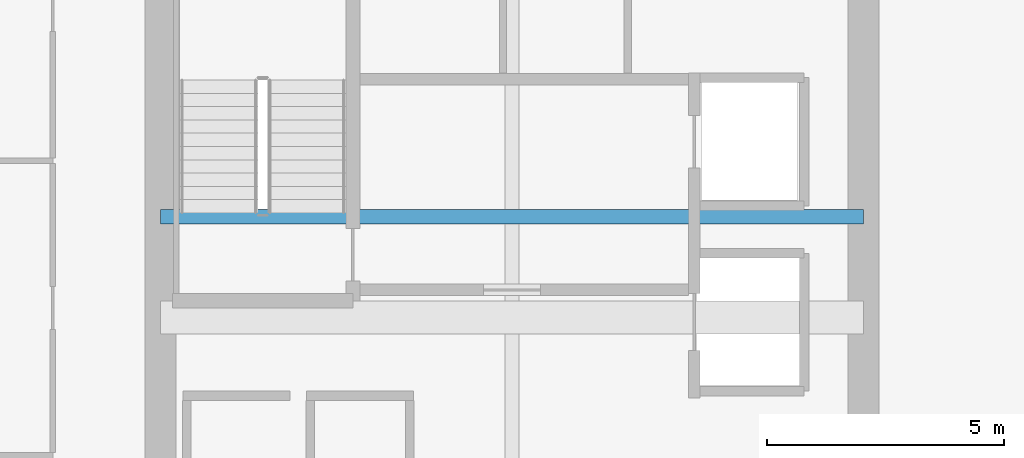
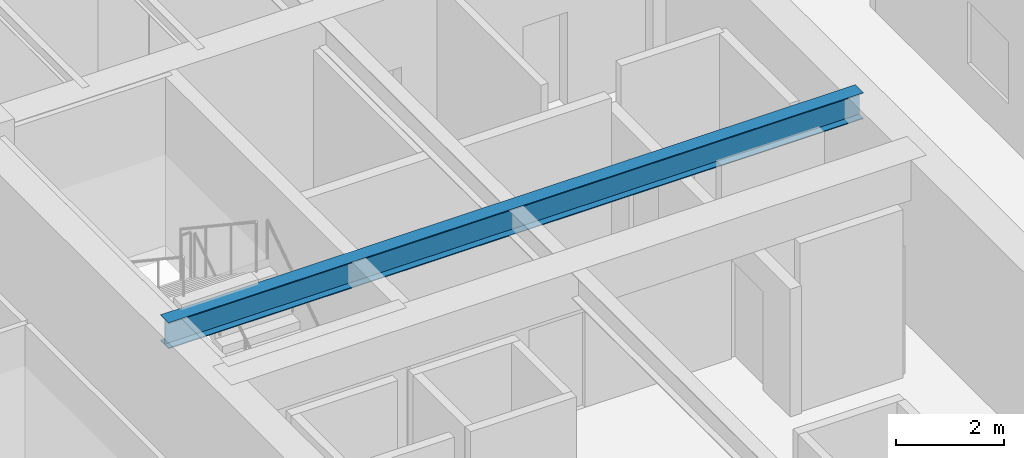
# One storey, part 9 of 34: 1 beam.
"""IFC4 building model written with IfcOpenShell, lengths in metres."""

from ifc_helpers import new_model, si_unit, direction, frame, origin, origin_2d, place, context, subcontext, project, spatial, i_section, extrude, source, transform, mapped, material, material_profile, profile_set, type_object, type_shapes, element, save


model = new_model("IFC4")

# Units and contexts
model_context = context("Model", 3, precision=1e-05, world=origin(), true_north=direction((0.0, 1.0)))
body_context = subcontext(model_context, "Body", "Model", "MODEL_VIEW")
ifc_project = project(units=[si_unit("LENGTHUNIT", "METRE"), si_unit("AREAUNIT", "SQUARE_METRE"), si_unit("VOLUMEUNIT", "CUBIC_METRE"), si_unit("PLANEANGLEUNIT", "RADIAN"), si_unit("MASSUNIT", "GRAM", prefix="KILO")], contexts=[model_context])

# Site, building, storey
site_placement = place(None, origin())
site = spatial("IfcSite", under=ifc_project, at=site_placement, CompositionType="ELEMENT")
building_placement = place(site_placement, origin())
building = spatial("IfcBuilding", under=site, at=building_placement, Name="Haelvirn Gate Laboratories", CompositionType="ELEMENT")
storey_placement = place(building_placement, frame((0.0, 0.0, 158.39990234375)))
storey = spatial("IfcBuildingStorey", under=building, at=storey_placement, Name="L38", CompositionType="ELEMENT", Elevation=158.39990234375)

# Beam
ifc_material = material(Name="Steel SM355", Category="steel")
ifc_material_profile = material_profile(ifc_material, i_section(OverallWidth=0.300048828125, OverallDepth=0.587890625, WebThickness=0.011962890625, FlangeThickness=0.02001953125, at=origin_2d()), Name="H-588x300x12x20")
ifc_profile_set = profile_set([ifc_material_profile], Name="Steel SM355")
beam_type = type_object("IfcBeamType", Name="BM-G-588", PredefinedType="BEAM", material=ifc_profile_set)
shared_shape = source(origin(), body_context, "Body", "SweptSolid", [
    extrude(i_section(OverallWidth=0.300048828125, OverallDepth=0.587890625, WebThickness=0.011962890625, FlangeThickness=0.02001953125, at=origin_2d()), origin(), (0.0, 0.0, 1.0), 14.800048828125),
])
type_shapes(beam_type, [shared_shape])
beam_placement = place(storey_placement, frame((7.39990234375, 26.6201171875, 3.49609375), z_axis=(1.0, 0.0, 0.0), x_axis=(0.0, 1.0, 0.0)))
element("IfcBeam", 1, at=beam_placement, inside=storey, type_object=beam_type, Name="L38 Stair ST1 Landing Header", PredefinedType="BEAM", context=body_context, shape_type="MappedRepresentation", body=[
    mapped(shared_shape, transform((0.0, 0.0, 0.0), scale=1.0)),
])

save(model, "model.ifc")
